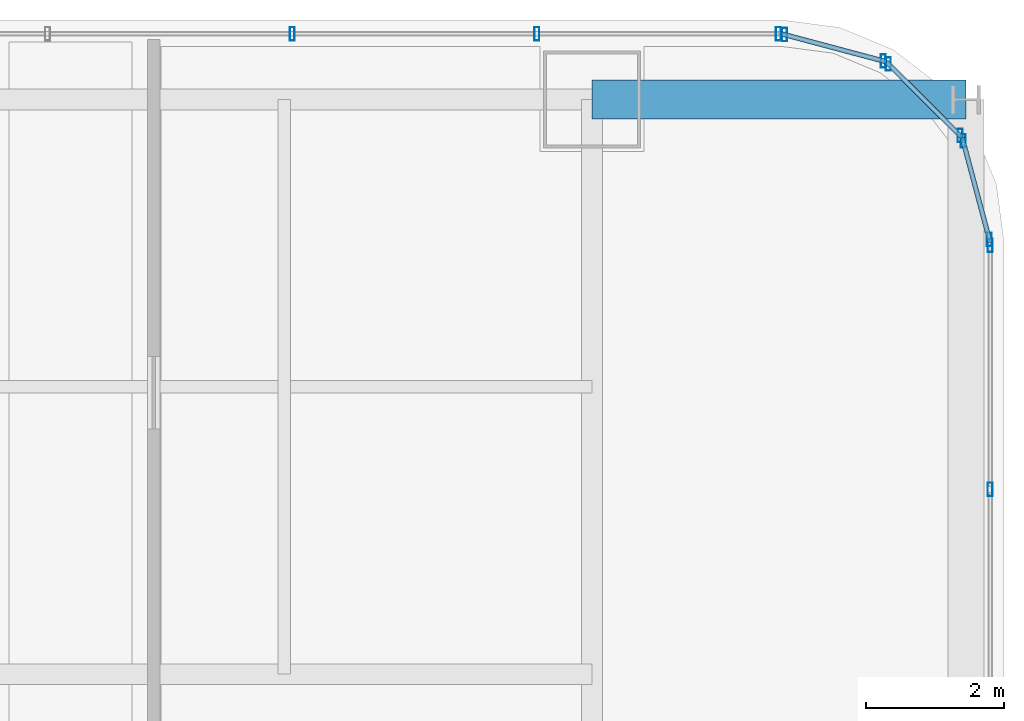
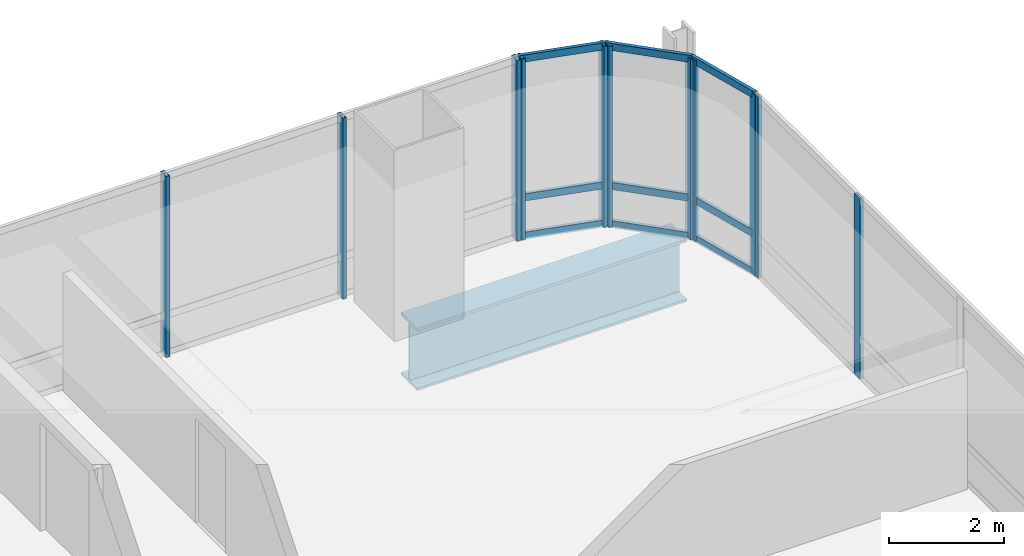
# One storey, part 26 of 35: 20 members, 1 beam, 5 elements without a shape of their own.
"""IFC4 building model written with IfcOpenShell, lengths in metres."""

from ifc_helpers import new_model, si_unit, direction, frame, origin, origin_2d, place, context, subcontext, project, spatial, hollow_rectangle, i_section, extrude, material, material_profile, profile_set, type_object, element, aggregate, save


model = new_model("IFC4")

# Units and contexts
model_context = context("Model", 3, precision=1e-05, world=origin(), true_north=direction((0.0, 1.0)))
body_context = subcontext(model_context, "Body", "Model", "MODEL_VIEW")
ifc_project = project(units=[si_unit("LENGTHUNIT", "METRE"), si_unit("AREAUNIT", "SQUARE_METRE"), si_unit("VOLUMEUNIT", "CUBIC_METRE"), si_unit("PLANEANGLEUNIT", "RADIAN"), si_unit("MASSUNIT", "GRAM", prefix="KILO")], contexts=[model_context])

# Site, building, storey
site_placement = place(None, origin())
site = spatial("IfcSite", under=ifc_project, at=site_placement, CompositionType="ELEMENT")
building_placement = place(site_placement, origin())
building = spatial("IfcBuilding", under=site, at=building_placement, Name="Punatoya Terracotta Tower", CompositionType="ELEMENT")
storey_placement = place(building_placement, frame((0.0, 0.0, 216.75)))
storey = spatial("IfcBuildingStorey", under=building, at=storey_placement, Name="L51", CompositionType="ELEMENT", Elevation=216.75)

# Beam
ifc_material_1 = material(Name="Steel S460", Category="steel")
ifc_material_profile_1 = material_profile(ifc_material_1, i_section(OverallWidth=0.56005859375, OverallDepth=1.320068359375, WebThickness=0.035888671875, FlangeThickness=0.054931640625, FilletRadius=0.01806640625, at=origin_2d()))
ifc_profile_set_1 = profile_set([ifc_material_profile_1], Name="Steel S460")
beam_type = type_object("IfcBeamType", Name="BM-TG-BLK", PredefinedType="BEAM", material=ifc_profile_set_1)
beam_placement = place(storey_placement, frame((19.10009765625, 17.5, -0.8798828125), z_axis=(1.0, 0.0, 0.0), x_axis=(0.0, 1.0, 0.0)))
element("IfcBeam", 1, at=beam_placement, inside=storey, type_object=beam_type, Name="BM-L51-CANT-E4", PredefinedType="BEAM", context=body_context, shape_type="SweptSolid", body=[
    extrude(i_section(OverallWidth=0.56005859375, OverallDepth=1.320068359375, WebThickness=0.035888671875, FlangeThickness=0.054931640625, FilletRadius=0.01806640625, at=origin_2d()), origin(), (0.0, 0.0, 1.0), 5.39990234375),
])

# Curtain wall, members
ifc_material_2 = material(Name="Aluminium 6063-T6 + Double Low-E Glass", Category="aluminium")
curtain_wall_type = type_object("IfcCurtainWallType", Name="CW-M2", PredefinedType="NOTDEFINED", material=ifc_material_2)
curtain_wall_1_placement = place(storey_placement, origin())
curtain_wall_1 = element("IfcCurtainWall", 2, at=curtain_wall_1_placement, inside=storey, type_object=curtain_wall_type, Name="L51 Curtain Wall CW-L51-E05-1", PredefinedType="NOTDEFINED")
ifc_material_3 = material(Name="Aluminium 6063-T6", Category="aluminium")
ifc_material_profile_2 = material_profile(ifc_material_3, hollow_rectangle(XDim=0.072021484375, YDim=0.195068359375, WallThickness=0.00439453125, at=origin_2d()))
ifc_profile_set_2 = profile_set([ifc_material_profile_2], Name="Aluminium 6063-T6")
member_type_1 = type_object("IfcMemberType", Name="CW-MUL-M2", PredefinedType="MULLION", material=ifc_profile_set_2)
member_1_placement = place(storey_placement, frame((24.85009765625, 11.869384765625, 0.0), z_axis=(0.0, 0.0, 1.0), x_axis=(1.0, 0.0, 0.0)))
member_1 = element("IfcMember", 3, at=member_1_placement, type_object=member_type_1, Name="CW-L51-E05-1 Mullion 09", PredefinedType="MULLION", context=body_context, shape_type="SweptSolid", body=[
    extrude(hollow_rectangle(XDim=0.072021484375, YDim=0.195068359375, WallThickness=0.00439453125, at=origin_2d()), origin(), (0.0, 0.0, 1.0), 3.830078125),
])
member_2_placement = place(storey_placement, frame((24.85009765625, 15.391845703125, 0.0), z_axis=(0.0, 0.0, 1.0), x_axis=(1.0, 0.0, 0.0)))
member_2 = element("IfcMember", 4, at=member_2_placement, type_object=member_type_1, Name="CW-L51-E05-1 Mullion 10", PredefinedType="MULLION", context=body_context, shape_type="SweptSolid", body=[
    extrude(hollow_rectangle(XDim=0.072021484375, YDim=0.195068359375, WallThickness=0.00439453125, at=origin_2d()), origin(), (0.0, 0.0, 1.0), 3.830078125),
])
aggregate(curtain_wall_1, [member_1, member_2])

curtain_wall_2_placement = place(storey_placement, origin())
curtain_wall_2 = element("IfcCurtainWall", 5, at=curtain_wall_2_placement, inside=storey, type_object=curtain_wall_type, Name="L51 Curtain Wall CW-L51-CRN06", PredefinedType="NOTDEFINED")
member_3_placement = place(storey_placement, frame((24.83837890625, 15.48046875, 0.0), z_axis=(0.0, 0.0, 1.0), x_axis=(1.0, 0.0, 0.0)))
member_3 = element("IfcMember", 6, at=member_3_placement, type_object=member_type_1, Name="CW-L51-CRN06 Mullion 00", PredefinedType="MULLION", context=body_context, shape_type="SweptSolid", body=[
    extrude(hollow_rectangle(XDim=0.072021484375, YDim=0.195068359375, WallThickness=0.00439453125, at=origin_2d()), origin(), (0.0, 0.0, 1.0), 3.830078125),
])
member_4_placement = place(storey_placement, frame((24.458251953125, 16.905517578125, 0.0), z_axis=(0.0, 0.0, 1.0), x_axis=(1.0, 0.0, 0.0)))
member_4 = element("IfcMember", 7, at=member_4_placement, type_object=member_type_1, Name="CW-L51-CRN06 Mullion 01", PredefinedType="MULLION", context=body_context, shape_type="SweptSolid", body=[
    extrude(hollow_rectangle(XDim=0.072021484375, YDim=0.195068359375, WallThickness=0.00439453125, at=origin_2d()), origin(), (0.0, 0.0, 1.0), 3.830078125),
])

curtain_wall_3_placement = place(storey_placement, origin())
curtain_wall_3 = element("IfcCurtainWall", 8, at=curtain_wall_3_placement, inside=storey, type_object=curtain_wall_type, Name="L51 Curtain Wall CW-L51-CRN07", PredefinedType="NOTDEFINED")
member_5_placement = place(storey_placement, frame((24.414794921875, 16.98095703125, 0.0), z_axis=(0.0, 0.0, 1.0), x_axis=(1.0, 0.0, 0.0)))
member_5 = element("IfcMember", 9, at=member_5_placement, type_object=member_type_1, Name="CW-L51-CRN07 Mullion 00", PredefinedType="MULLION", context=body_context, shape_type="SweptSolid", body=[
    extrude(hollow_rectangle(XDim=0.072021484375, YDim=0.195068359375, WallThickness=0.00439453125, at=origin_2d()), origin(), (0.0, 0.0, 1.0), 3.830078125),
])
member_6_placement = place(storey_placement, frame((23.380859375, 18.014892578125, 0.0), z_axis=(0.0, 0.0, 1.0), x_axis=(1.0, 0.0, 0.0)))
member_6 = element("IfcMember", 10, at=member_6_placement, type_object=member_type_1, Name="CW-L51-CRN07 Mullion 01", PredefinedType="MULLION", context=body_context, shape_type="SweptSolid", body=[
    extrude(hollow_rectangle(XDim=0.072021484375, YDim=0.195068359375, WallThickness=0.00439453125, at=origin_2d()), origin(), (0.0, 0.0, 1.0), 3.830078125),
])

curtain_wall_4_placement = place(storey_placement, origin())
curtain_wall_4 = element("IfcCurtainWall", 11, at=curtain_wall_4_placement, inside=storey, type_object=curtain_wall_type, Name="L51 Curtain Wall CW-L51-CRN08", PredefinedType="NOTDEFINED")
member_7_placement = place(storey_placement, frame((23.3056640625, 18.05810546875, 0.0), z_axis=(0.0, 0.0, 1.0), x_axis=(1.0, 0.0, 0.0)))
member_7 = element("IfcMember", 12, at=member_7_placement, type_object=member_type_1, Name="CW-L51-CRN08 Mullion 00", PredefinedType="MULLION", context=body_context, shape_type="SweptSolid", body=[
    extrude(hollow_rectangle(XDim=0.072021484375, YDim=0.195068359375, WallThickness=0.00439453125, at=origin_2d()), origin(), (0.0, 0.0, 1.0), 3.830078125),
])
member_8_placement = place(storey_placement, frame((21.88037109375, 18.4384765625, 0.0), z_axis=(0.0, 0.0, 1.0), x_axis=(1.0, 0.0, 0.0)))
member_8 = element("IfcMember", 13, at=member_8_placement, type_object=member_type_1, Name="CW-L51-CRN08 Mullion 01", PredefinedType="MULLION", context=body_context, shape_type="SweptSolid", body=[
    extrude(hollow_rectangle(XDim=0.072021484375, YDim=0.195068359375, WallThickness=0.00439453125, at=origin_2d()), origin(), (0.0, 0.0, 1.0), 3.830078125),
])

curtain_wall_5_placement = place(storey_placement, origin())
curtain_wall_5 = element("IfcCurtainWall", 14, at=curtain_wall_5_placement, inside=storey, type_object=curtain_wall_type, Name="L51 Curtain Wall CW-L51-N09-1", PredefinedType="NOTDEFINED")
member_9_placement = place(storey_placement, frame((21.7919921875, 18.449951171875, 0.0), z_axis=(0.0, 0.0, 1.0), x_axis=(1.0, 0.0, 0.0)))
member_9 = element("IfcMember", 15, at=member_9_placement, type_object=member_type_1, Name="CW-L51-N09-1 Mullion 00", PredefinedType="MULLION", context=body_context, shape_type="SweptSolid", body=[
    extrude(hollow_rectangle(XDim=0.072021484375, YDim=0.195068359375, WallThickness=0.00439453125, at=origin_2d()), origin(), (0.0, 0.0, 1.0), 3.830078125),
])
member_10_placement = place(storey_placement, frame((18.302978515625, 18.449951171875, 0.0), z_axis=(0.0, 0.0, 1.0), x_axis=(1.0, 0.0, 0.0)))
member_10 = element("IfcMember", 16, at=member_10_placement, type_object=member_type_1, Name="CW-L51-N09-1 Mullion 01", PredefinedType="MULLION", context=body_context, shape_type="SweptSolid", body=[
    extrude(hollow_rectangle(XDim=0.072021484375, YDim=0.195068359375, WallThickness=0.00439453125, at=origin_2d()), origin(), (0.0, 0.0, 1.0), 3.830078125),
])
member_11_placement = place(storey_placement, frame((14.768798828125, 18.449951171875, 0.0), z_axis=(0.0, 0.0, 1.0), x_axis=(1.0, 0.0, 0.0)))
member_11 = element("IfcMember", 17, at=member_11_placement, type_object=member_type_1, Name="CW-L51-N09-1 Mullion 02", PredefinedType="MULLION", context=body_context, shape_type="SweptSolid", body=[
    extrude(hollow_rectangle(XDim=0.072021484375, YDim=0.195068359375, WallThickness=0.00439453125, at=origin_2d()), origin(), (0.0, 0.0, 1.0), 3.830078125),
])
aggregate(curtain_wall_5, [member_9, member_10, member_11])

# Member
ifc_material_profile_3 = material_profile(ifc_material_3, hollow_rectangle(XDim=0.068115234375, YDim=0.14990234375, WallThickness=0.00390625, at=origin_2d()))
ifc_profile_set_3 = profile_set([ifc_material_profile_3], Name="Aluminium 6063-T6")
member_type_2 = type_object("IfcMemberType", Name="CW-TRN-TYP", PredefinedType="USERDEFINED", material=ifc_profile_set_3)
member_12_placement = place(storey_placement, frame((24.85009765625, 15.43701171875, 0.0400390625), z_axis=(-0.257847112249, 0.966185730957, 0.0), x_axis=(-0.966185730957, -0.257847112249, 0.0)))
member_12 = element("IfcMember", 18, at=member_12_placement, type_object=member_type_2, Name="CW-L51-CRN06 Transom 1", ObjectType="TRANSOM", PredefinedType="USERDEFINED", context=body_context, shape_type="SweptSolid", body=[
    extrude(hollow_rectangle(XDim=0.068115234375, YDim=0.14990234375, WallThickness=0.00390625, at=origin_2d()), origin(), (0.0, 0.0, 1.0), 1.565185546875),
])

member_13_placement = place(storey_placement, frame((24.85009765625, 15.43701171875, 0.85009765625), z_axis=(-0.257847112249, 0.966185730957, 0.0), x_axis=(-0.966185730957, -0.257847112249, 0.0)))
member_13 = element("IfcMember", 19, at=member_13_placement, type_object=member_type_2, Name="CW-L51-CRN06 Transom 2", ObjectType="TRANSOM", PredefinedType="USERDEFINED", context=body_context, shape_type="SweptSolid", body=[
    extrude(hollow_rectangle(XDim=0.068115234375, YDim=0.14990234375, WallThickness=0.00390625, at=origin_2d()), origin(), (0.0, 0.0, 1.0), 1.565185546875),
])

member_14_placement = place(storey_placement, frame((24.85009765625, 15.43701171875, 3.7900390625), z_axis=(-0.257847112249, 0.966185730957, 0.0), x_axis=(-0.966185730957, -0.257847112249, 0.0)))
member_14 = element("IfcMember", 20, at=member_14_placement, type_object=member_type_2, Name="CW-L51-CRN06 Transom 3", ObjectType="TRANSOM", PredefinedType="USERDEFINED", context=body_context, shape_type="SweptSolid", body=[
    extrude(hollow_rectangle(XDim=0.068115234375, YDim=0.14990234375, WallThickness=0.00390625, at=origin_2d()), origin(), (0.0, 0.0, 1.0), 1.565185546875),
])

aggregate(curtain_wall_2, [member_3, member_4, member_12, member_13, member_14])

member_15_placement = place(storey_placement, frame((24.446533203125, 16.94921875, 0.0400390625), z_axis=(-0.707106781187, 0.707106781187, 0.0), x_axis=(-0.707106781187, -0.707106781187, 0.0)))
member_15 = element("IfcMember", 21, at=member_15_placement, type_object=member_type_2, Name="CW-L51-CRN07 Transom 1", ObjectType="TRANSOM", PredefinedType="USERDEFINED", context=body_context, shape_type="SweptSolid", body=[
    extrude(hollow_rectangle(XDim=0.068115234375, YDim=0.14990234375, WallThickness=0.00390625, at=origin_2d()), origin(), (0.0, 0.0, 1.0), 1.552001953125),
])

member_16_placement = place(storey_placement, frame((24.446533203125, 16.94921875, 0.85009765625), z_axis=(-0.707106781187, 0.707106781187, 0.0), x_axis=(-0.707106781187, -0.707106781187, 0.0)))
member_16 = element("IfcMember", 22, at=member_16_placement, type_object=member_type_2, Name="CW-L51-CRN07 Transom 2", ObjectType="TRANSOM", PredefinedType="USERDEFINED", context=body_context, shape_type="SweptSolid", body=[
    extrude(hollow_rectangle(XDim=0.068115234375, YDim=0.14990234375, WallThickness=0.00390625, at=origin_2d()), origin(), (0.0, 0.0, 1.0), 1.552001953125),
])

member_17_placement = place(storey_placement, frame((24.446533203125, 16.94921875, 3.7900390625), z_axis=(-0.707106781187, 0.707106781187, 0.0), x_axis=(-0.707106781187, -0.707106781187, 0.0)))
member_17 = element("IfcMember", 23, at=member_17_placement, type_object=member_type_2, Name="CW-L51-CRN07 Transom 3", ObjectType="TRANSOM", PredefinedType="USERDEFINED", context=body_context, shape_type="SweptSolid", body=[
    extrude(hollow_rectangle(XDim=0.068115234375, YDim=0.14990234375, WallThickness=0.00390625, at=origin_2d()), origin(), (0.0, 0.0, 1.0), 1.552001953125),
])

aggregate(curtain_wall_3, [member_5, member_6, member_15, member_16, member_17])

member_18_placement = place(storey_placement, frame((23.34912109375, 18.046630859375, 0.0400390625), z_axis=(-0.966224582397, 0.257701486942, 0.0), x_axis=(-0.257701486942, -0.966224582397, 0.0)))
member_18 = element("IfcMember", 24, at=member_18_placement, type_object=member_type_2, Name="CW-L51-CRN08 Transom 1", ObjectType="TRANSOM", PredefinedType="USERDEFINED", context=body_context, shape_type="SweptSolid", body=[
    extrude(hollow_rectangle(XDim=0.068115234375, YDim=0.14990234375, WallThickness=0.00390625, at=origin_2d()), origin(), (0.0, 0.0, 1.0), 1.565185546875),
])

member_19_placement = place(storey_placement, frame((23.34912109375, 18.046630859375, 0.85009765625), z_axis=(-0.966224582397, 0.257701486942, 0.0), x_axis=(-0.257701486942, -0.966224582397, 0.0)))
member_19 = element("IfcMember", 25, at=member_19_placement, type_object=member_type_2, Name="CW-L51-CRN08 Transom 2", ObjectType="TRANSOM", PredefinedType="USERDEFINED", context=body_context, shape_type="SweptSolid", body=[
    extrude(hollow_rectangle(XDim=0.068115234375, YDim=0.14990234375, WallThickness=0.00390625, at=origin_2d()), origin(), (0.0, 0.0, 1.0), 1.565185546875),
])

member_20_placement = place(storey_placement, frame((23.34912109375, 18.046630859375, 3.7900390625), z_axis=(-0.966224582397, 0.257701486942, 0.0), x_axis=(-0.257701486942, -0.966224582397, 0.0)))
member_20 = element("IfcMember", 26, at=member_20_placement, type_object=member_type_2, Name="CW-L51-CRN08 Transom 3", ObjectType="TRANSOM", PredefinedType="USERDEFINED", context=body_context, shape_type="SweptSolid", body=[
    extrude(hollow_rectangle(XDim=0.068115234375, YDim=0.14990234375, WallThickness=0.00390625, at=origin_2d()), origin(), (0.0, 0.0, 1.0), 1.565185546875),
])

aggregate(curtain_wall_4, [member_7, member_8, member_18, member_19, member_20])

save(model, "model.ifc")
